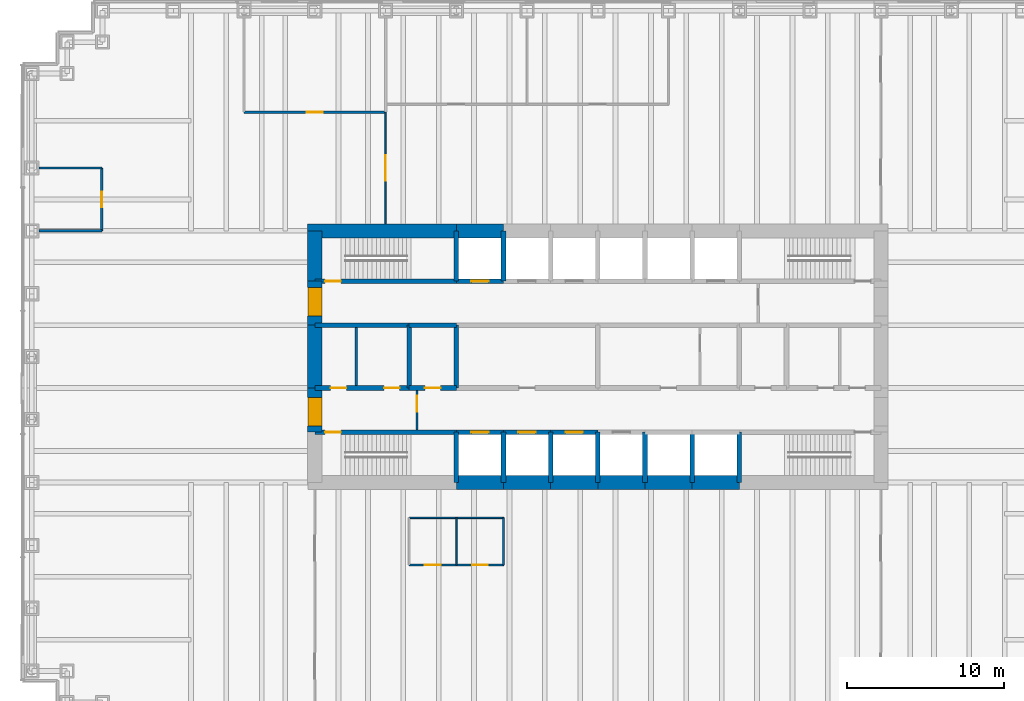
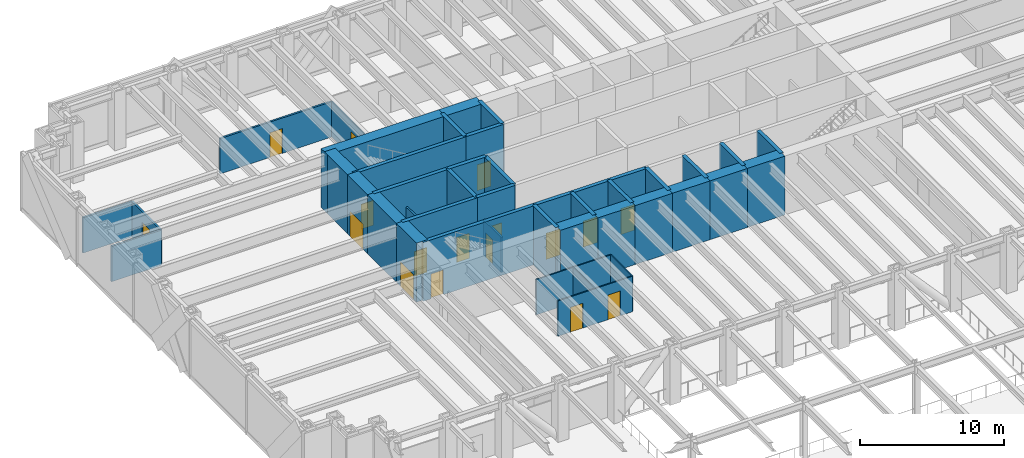
# One storey, part 13 of 17: 44 walls, 17 doors, 17 openings.
"""IFC4 building model written with IfcOpenShell, lengths in metres."""

import ifcopenshell
import ifcopenshell.guid

model = None  # the IFC model being written
_history = None  # IfcOwnerHistory: only IFC2X3 demands one
_inside = {}  # id of a spatial element -> (the spatial element, [elements in it])
_under = {}  # id of a project, library or spatial element -> (it, [spatial elements below it])
_declared = {}  # id of a project -> (the project, [libraries it declares])
_typed = {}  # id of a type object -> (the type object, [elements of that type])
_made_of = {}  # id of a material, layer set ... -> (it, [elements and type objects made of it])


def new_model(schema):
    """Start an empty IFC model of exactly this schema.

    Asked for "IFC4X3", IfcOpenShell would pick the latest addendum, in which some entities
    have other attributes; the version numbers below select the first issue.
    IFC2X3 requires an IfcOwnerHistory on every rooted entity: one is made here for all.
    """
    global model, _history
    if schema == "IFC4X3":
        model = ifcopenshell.file(schema_version=(4, 3, 0, 0))
    else:
        model = ifcopenshell.file(schema=schema)
    _inside.clear()
    _under.clear()
    _declared.clear()
    _typed.clear()
    _made_of.clear()
    _history = None
    if model.schema == "IFC2X3":
        org = make("IfcOrganization", Name="unknown")
        user = make(
            "IfcPersonAndOrganization",
            ThePerson=make("IfcPerson", FamilyName="unknown"),
            TheOrganization=org,
        )
        app = make(
            "IfcApplication",
            ApplicationDeveloper=org,
            Version="unknown",
            ApplicationFullName="unknown",
            ApplicationIdentifier="unknown",
        )
        _history = make(
            "IfcOwnerHistory",
            OwningUser=user,
            OwningApplication=app,
            ChangeAction="ADDED",
            CreationDate=0,
        )
    return model


def make(cls, **values):
    """One entity of the class cls with the attributes given. An attribute that is None is left unset."""
    return model.create_entity(
        cls, **{name: value for name, value in values.items() if value is not None}
    )


def rooted(cls, **values):
    """An entity with a GlobalId (a new one), such as an element, a storey or a relation."""
    return make(cls, GlobalId=ifcopenshell.guid.new(), OwnerHistory=_history, **values)


def si_unit(unit_type, name, prefix=None):
    """IfcSIUnit, for example si_unit("LENGTHUNIT", "METRE", prefix="MILLI")."""
    return make("IfcSIUnit", UnitType=unit_type, Prefix=prefix, Name=name)


def assignment(units):
    """IfcUnitAssignment: the units of a project."""
    return None if units is None else make("IfcUnitAssignment", Units=units)


def point(xyz):
    """IfcCartesianPoint."""
    return None if xyz is None else make("IfcCartesianPoint", Coordinates=xyz)


def direction(xyz):
    """IfcDirection."""
    return None if xyz is None else make("IfcDirection", DirectionRatios=xyz)


def frame(location, z_axis=None, x_axis=None):
    """IfcAxis2Placement3D, a coordinate frame: its origin and axes. An axis left out is left unset."""
    return make(
        "IfcAxis2Placement3D",
        Location=point(location),
        Axis=direction(z_axis),
        RefDirection=direction(x_axis),
    )


def frame_2d(location, x_axis=None):
    """IfcAxis2Placement2D, a coordinate frame in the plane: its origin and x axis."""
    return make(
        "IfcAxis2Placement2D", Location=point(location), RefDirection=direction(x_axis)
    )


def origin():
    """The frame at (0, 0, 0) with its axes left unset."""
    return frame((0.0, 0.0, 0.0))


def place(relative_to, where):
    """IfcLocalPlacement: puts the frame where relative to a parent placement (None: the world)."""
    return make(
        "IfcLocalPlacement", PlacementRelTo=relative_to, RelativePlacement=where
    )


def context(
    kind, dimensions, precision=None, world=None, true_north=None, identifier=None
):
    """IfcGeometricRepresentationContext, for example the 3D "Model" context."""
    return make(
        "IfcGeometricRepresentationContext",
        ContextIdentifier=identifier,
        ContextType=kind,
        CoordinateSpaceDimension=dimensions,
        Precision=precision,
        WorldCoordinateSystem=world,
        TrueNorth=true_north,
    )


def subcontext(parent, identifier, kind, view, scale=None):
    """IfcGeometricRepresentationSubContext, for example "Body" below "Model"."""
    return make(
        "IfcGeometricRepresentationSubContext",
        ContextIdentifier=identifier,
        ContextType=kind,
        ParentContext=parent,
        TargetScale=scale,
        TargetView=view,
    )


def project(units=None, contexts=None):
    """IfcProject with its units and contexts."""
    return rooted(
        "IfcProject",
        Name="project",
        RepresentationContexts=contexts,
        UnitsInContext=assignment(units),
    )


def spatial(cls, under=None, at=None, **own):
    """A site, building, storey or space (cls), placed at a placement, below another one or the project."""
    s = rooted(cls, ObjectPlacement=at, **own)
    if under is not None:
        _under.setdefault(under.id(), (under, []))[1].append(s)
    return s


def profile(cls, at=None, kind="AREA", **sizes):
    """A parametric profile (cls). Its sizes go by their IFC names, for example OverallWidth=200.0."""
    return make(cls, ProfileType=kind, Position=at, **sizes)


def rectangle(**sizes):
    """IfcRectangleProfileDef."""
    return profile("IfcRectangleProfileDef", **sizes)


def extrude(swept, where, along, depth):
    """IfcExtrudedAreaSolid: the profile swept, set in the frame where, extruded along a direction by depth."""
    return make(
        "IfcExtrudedAreaSolid",
        SweptArea=swept,
        Position=where,
        ExtrudedDirection=direction(along),
        Depth=depth,
    )


def shape(context_of_items, identifier, shape_type, items):
    """IfcShapeRepresentation: the items that make up one representation, for example the "Body"."""
    return make(
        "IfcShapeRepresentation",
        ContextOfItems=context_of_items,
        RepresentationIdentifier=identifier,
        RepresentationType=shape_type,
        Items=items,
    )


def material(Name=None, Category=None):
    """IfcMaterial."""
    return make("IfcMaterial", Name=Name, Category=Category)


def layer(
    of_material, thickness, ventilated=None, Name=None, Category=None, Priority=None
):
    """IfcMaterialLayer: one layer of a wall or slab, of a material (None: an air gap)."""
    return make(
        "IfcMaterialLayer",
        Material=of_material,
        LayerThickness=thickness,
        IsVentilated=ventilated,
        Name=Name,
        Category=Category,
        Priority=Priority,
    )


def layer_set(layers, Name=None):
    """IfcMaterialLayerSet."""
    return make("IfcMaterialLayerSet", MaterialLayers=layers, LayerSetName=Name)


def made_of(thing, what):
    """Note that an element or type object is made of a material, layer set ...; save() writes the relation."""
    if what is not None:
        _made_of.setdefault(what.id(), (what, []))[1].append(thing)
    return thing


def type_object(cls, material=None, **own):
    """A type object (cls), such as IfcWallType, which elements share."""
    return made_of(rooted(cls, **own), material)


def element(
    cls,
    number,
    at=None,
    inside=None,
    cuts=None,
    type_object=None,
    material=None,
    context=None,
    identifier="Body",
    shape_type=None,
    held_by="IfcProductDefinitionShape",
    body=None,
    shapes=None,
    **own,
):
    """One element of the class cls, such as IfcWall. Its Tag is "e" and its number.

    at: its placement. inside: the storey or other place that contains it. cuts: it is an
    opening in that element (IfcRelVoidsElement). A single representation is given by context,
    identifier, shape_type and body (its items); several are given by shapes. held_by: the class
    of the entity that holds the representations. save() writes the other relations.
    """
    e = rooted(cls, Tag="e%d" % number, ObjectPlacement=at, **own)
    if body is not None:
        shapes = [shape(context, identifier, shape_type, body)]
    if shapes is not None:
        e.Representation = make(held_by, Representations=shapes)
    if inside is not None:
        _inside.setdefault(inside.id(), (inside, []))[1].append(e)
    if cuts is not None:
        rooted(
            "IfcRelVoidsElement", RelatingBuildingElement=cuts, RelatedOpeningElement=e
        )
    if type_object is not None:
        _typed.setdefault(type_object.id(), (type_object, []))[1].append(e)
    return made_of(e, material)


def fill(opening, filler):
    """IfcRelFillsElement: the door or window that sits in an opening."""
    return rooted(
        "IfcRelFillsElement",
        RelatingOpeningElement=opening,
        RelatedBuildingElement=filler,
    )


def aggregate(whole, parts):
    """IfcRelAggregates: a whole, such as a stair, and the parts it consists of."""
    return rooted("IfcRelAggregates", RelatingObject=whole, RelatedObjects=parts)


def save(model, path):
    """Write the relations noted so far, then the file.

    IfcRelAggregates (storeys below a building ...), IfcRelContainedInSpatialStructure (elements
    in a storey), IfcRelDefinesByType, IfcRelAssociatesMaterial and IfcRelDeclares: one each for
    every whole, place, type object, material and project.
    """
    for whole, parts in _under.values():
        aggregate(whole, parts)
    for where, things in _inside.values():
        rooted(
            "IfcRelContainedInSpatialStructure",
            RelatedElements=things,
            RelatingStructure=where,
        )
    for kind, things in _typed.values():
        rooted("IfcRelDefinesByType", RelatedObjects=things, RelatingType=kind)
    for what, things in _made_of.values():
        rooted("IfcRelAssociatesMaterial", RelatedObjects=things, RelatingMaterial=what)
    for by, libraries in _declared.values():
        rooted("IfcRelDeclares", RelatingContext=by, RelatedDefinitions=libraries)
    model.write(path)


model = new_model("IFC4")

# Units and contexts
model_context = context("Model", 3, precision=1e-05, world=origin(), true_north=direction((0.0, 1.0)))
body_context = subcontext(model_context, "Body", "Model", "MODEL_VIEW")
ifc_project = project(units=[si_unit("LENGTHUNIT", "METRE"), si_unit("AREAUNIT", "SQUARE_METRE"), si_unit("VOLUMEUNIT", "CUBIC_METRE"), si_unit("PLANEANGLEUNIT", "RADIAN"), si_unit("MASSUNIT", "GRAM", prefix="KILO")], contexts=[model_context])

# Site, building, storey
site_placement = place(None, origin())
site = spatial("IfcSite", under=ifc_project, at=site_placement, CompositionType="ELEMENT")
building_placement = place(site_placement, origin())
building = spatial("IfcBuilding", under=site, at=building_placement, Name="Rheinbord Bourse Tower", CompositionType="ELEMENT")
storey_placement = place(building_placement, frame((0.0, 0.0, 18.0)))
storey = spatial("IfcBuildingStorey", under=building, at=storey_placement, Name="L03", CompositionType="ELEMENT", Elevation=18.0)

# Wall, opening, door
ifc_material_1 = material(Name="Concrete C50/60", Category="concrete")
ifc_layer_1 = layer(ifc_material_1, 0.300048828125)
ifc_layer_set_1 = layer_set([ifc_layer_1], Name="CORE INNER WALL 300")
wall_type_1 = type_object("IfcWallType", Name="CORE INNER WALL 300", PredefinedType="SOLIDWALL", material=ifc_layer_set_1)
wall_1_placement = place(storey_placement, frame((18.0, 19.199951171875, 0.0), z_axis=(0.0, 0.0, 1.0), x_axis=(1.0, 0.0, 0.0)))
wall_1 = element("IfcWall", 1, at=wall_1_placement, inside=storey, type_object=wall_type_1, Name="Core wall A1 L03", PredefinedType="SOLIDWALL", context=body_context, shape_type="SweptSolid", body=[
    extrude(rectangle(XDim=9.0, YDim=0.300048828125, at=frame_2d((4.5, 0.0))), origin(), (0.0, 0.0, 1.0), 5.0),
])
opening_1_placement = place(wall_1_placement, frame((0.64990234375, 0.0, 0.0)))
opening_1 = element("IfcOpeningElement", 2, at=opening_1_placement, cuts=wall_1, Name="Opening 0310", PredefinedType="OPENING", context=body_context, shape_type="SweptSolid", body=[
    extrude(rectangle(XDim=1.0, YDim=2.10009765625, at=frame_2d((0.5, 1.050048828125))), frame((0.0, 0.159912109375, 0.0), z_axis=(0.0, -1.0, 0.0), x_axis=(1.0, 0.0, 0.0)), (0.0, 0.0, 1.0), 0.320068359375),
])
ifc_material_2 = material(Name="Steel door", Category="steel")
door_type_1 = type_object("IfcDoorType", Name="DOOR 1000 EI30", OperationType="SINGLE_SWING_LEFT", PredefinedType="DOOR", material=ifc_material_2)
door_1_placement = place(opening_1_placement, origin())
door_1 = element("IfcDoor", 3, at=door_1_placement, inside=storey, type_object=door_type_1, Name="Stair door ST1 L03", OperationType="SINGLE_SWING_LEFT", OverallHeight=2.10009765625, OverallWidth=1.0, PredefinedType="DOOR", context=body_context, shape_type="SweptSolid", body=[
    extrude(rectangle(XDim=1.0, YDim=2.10009765625, at=frame_2d((0.5, 1.050048828125))), frame((0.0, 0.02490234375, 0.0), z_axis=(0.0, -1.0, 0.0), x_axis=(1.0, 0.0, 0.0)), (0.0, 0.0, 1.0), 0.050048828125),
])
fill(opening_1, door_1)

wall_2_placement = place(storey_placement, frame((27.0, 19.199951171875, 0.0), z_axis=(0.0, 0.0, 1.0), x_axis=(1.0, 0.0, 0.0)))
wall_2 = element("IfcWall", 4, at=wall_2_placement, inside=storey, type_object=wall_type_1, Name="Core wall A2 L03", PredefinedType="SOLIDWALL", context=body_context, shape_type="SweptSolid", body=[
    extrude(rectangle(XDim=3.0, YDim=0.300048828125, at=frame_2d((1.5, 0.0))), origin(), (0.0, 0.0, 1.0), 5.0),
])
opening_2_placement = place(wall_2_placement, frame((0.949951171875, 0.0, 0.0)))
opening_2 = element("IfcOpeningElement", 5, at=opening_2_placement, cuts=wall_2, Name="Opening FL1", PredefinedType="OPENING", context=body_context, shape_type="SweptSolid", body=[
    extrude(rectangle(XDim=1.10009765625, YDim=2.199951171875, at=frame_2d((0.550048828125, 1.10009765625))), frame((0.0, 0.159912109375, 0.0), z_axis=(0.0, -1.0, 0.0), x_axis=(1.0, 0.0, 0.0)), (0.0, 0.0, 1.0), 0.320068359375),
])
ifc_material_3 = material(Name="Steel landing door", Category="steel")
door_type_2 = type_object("IfcDoorType", Name="LIFT LANDING DOOR 1100", OperationType="DOUBLE_DOOR_SLIDING", PredefinedType="USERDEFINED", material=ifc_material_3)
door_2_placement = place(opening_2_placement, origin())
door_2 = element("IfcDoor", 6, at=door_2_placement, inside=storey, type_object=door_type_2, Name="Lift landing door FL1 L03", ObjectType="LIFT LANDING DOOR", OperationType="DOUBLE_DOOR_SLIDING", OverallHeight=2.199951171875, OverallWidth=1.10009765625, PredefinedType="USERDEFINED", context=body_context, shape_type="SweptSolid", body=[
    extrude(rectangle(XDim=1.10009765625, YDim=2.199951171875, at=frame_2d((0.550048828125, 1.10009765625))), frame((0.0, 0.02490234375, 0.0), z_axis=(0.0, -1.0, 0.0), x_axis=(1.0, 0.0, 0.0)), (0.0, 0.0, 1.0), 0.050048828125),
])
fill(opening_2, door_2)

wall_3_placement = place(storey_placement, frame((30.0, 19.199951171875, 0.0), z_axis=(0.0, 0.0, 1.0), x_axis=(1.0, 0.0, 0.0)))
wall_3 = element("IfcWall", 7, at=wall_3_placement, inside=storey, type_object=wall_type_1, Name="Core wall A3 L03", PredefinedType="SOLIDWALL", context=body_context, shape_type="SweptSolid", body=[
    extrude(rectangle(XDim=3.0, YDim=0.300048828125, at=frame_2d((1.5, 0.0))), origin(), (0.0, 0.0, 1.0), 5.0),
])
opening_3_placement = place(wall_3_placement, frame((0.949951171875, 0.0, 0.0)))
opening_3 = element("IfcOpeningElement", 8, at=opening_3_placement, cuts=wall_3, Name="Opening PA1", PredefinedType="OPENING", context=body_context, shape_type="SweptSolid", body=[
    extrude(rectangle(XDim=1.10009765625, YDim=2.199951171875, at=frame_2d((0.550048828125, 1.10009765625))), frame((0.0, 0.159912109375, 0.0), z_axis=(0.0, -1.0, 0.0), x_axis=(1.0, 0.0, 0.0)), (0.0, 0.0, 1.0), 0.320068359375),
])
door_3_placement = place(opening_3_placement, origin())
door_3 = element("IfcDoor", 9, at=door_3_placement, inside=storey, type_object=door_type_2, Name="Lift landing door PA1 L03", ObjectType="LIFT LANDING DOOR", OperationType="DOUBLE_DOOR_SLIDING", OverallHeight=2.199951171875, OverallWidth=1.10009765625, PredefinedType="USERDEFINED", context=body_context, shape_type="SweptSolid", body=[
    extrude(rectangle(XDim=1.10009765625, YDim=2.199951171875, at=frame_2d((0.550048828125, 1.10009765625))), frame((0.0, 0.02490234375, 0.0), z_axis=(0.0, -1.0, 0.0), x_axis=(1.0, 0.0, 0.0)), (0.0, 0.0, 1.0), 0.050048828125),
])
fill(opening_3, door_3)

wall_4_placement = place(storey_placement, frame((33.0, 19.199951171875, 0.0), z_axis=(0.0, 0.0, 1.0), x_axis=(1.0, 0.0, 0.0)))
wall_4 = element("IfcWall", 10, at=wall_4_placement, inside=storey, type_object=wall_type_1, Name="Core wall A4 L03", PredefinedType="SOLIDWALL", context=body_context, shape_type="SweptSolid", body=[
    extrude(rectangle(XDim=3.0, YDim=0.300048828125, at=frame_2d((1.5, 0.0))), origin(), (0.0, 0.0, 1.0), 5.0),
])
opening_4_placement = place(wall_4_placement, frame((0.949951171875, 0.0, 0.0)))
opening_4 = element("IfcOpeningElement", 11, at=opening_4_placement, cuts=wall_4, Name="Opening PA2", PredefinedType="OPENING", context=body_context, shape_type="SweptSolid", body=[
    extrude(rectangle(XDim=1.10009765625, YDim=2.199951171875, at=frame_2d((0.550048828125, 1.10009765625))), frame((0.0, 0.159912109375, 0.0), z_axis=(0.0, -1.0, 0.0), x_axis=(1.0, 0.0, 0.0)), (0.0, 0.0, 1.0), 0.320068359375),
])
door_4_placement = place(opening_4_placement, origin())
door_4 = element("IfcDoor", 12, at=door_4_placement, inside=storey, type_object=door_type_2, Name="Lift landing door PA2 L03", ObjectType="LIFT LANDING DOOR", OperationType="DOUBLE_DOOR_SLIDING", OverallHeight=2.199951171875, OverallWidth=1.10009765625, PredefinedType="USERDEFINED", context=body_context, shape_type="SweptSolid", body=[
    extrude(rectangle(XDim=1.10009765625, YDim=2.199951171875, at=frame_2d((0.550048828125, 1.10009765625))), frame((0.0, 0.02490234375, 0.0), z_axis=(0.0, -1.0, 0.0), x_axis=(1.0, 0.0, 0.0)), (0.0, 0.0, 1.0), 0.050048828125),
])
fill(opening_4, door_4)

wall_5_placement = place(storey_placement, frame((18.0, 28.800048828125, 0.0), z_axis=(0.0, 0.0, 1.0), x_axis=(1.0, 0.0, 0.0)))
wall_5 = element("IfcWall", 13, at=wall_5_placement, inside=storey, type_object=wall_type_1, Name="Core wall B1 L03", PredefinedType="SOLIDWALL", context=body_context, shape_type="SweptSolid", body=[
    extrude(rectangle(XDim=9.0, YDim=0.300048828125, at=frame_2d((4.5, 0.0))), origin(), (0.0, 0.0, 1.0), 5.0),
])
opening_5_placement = place(wall_5_placement, frame((0.64990234375, 0.0, 0.0)))
opening_5 = element("IfcOpeningElement", 14, at=opening_5_placement, cuts=wall_5, Name="Opening 0320", PredefinedType="OPENING", context=body_context, shape_type="SweptSolid", body=[
    extrude(rectangle(XDim=1.0, YDim=2.10009765625, at=frame_2d((0.5, 1.050048828125))), frame((0.0, 0.159912109375, 0.0), z_axis=(0.0, -1.0, 0.0), x_axis=(1.0, 0.0, 0.0)), (0.0, 0.0, 1.0), 0.320068359375),
])
door_5_placement = place(opening_5_placement, origin())
door_5 = element("IfcDoor", 15, at=door_5_placement, inside=storey, type_object=door_type_1, Name="Stair door ST2 L03", OperationType="SINGLE_SWING_LEFT", OverallHeight=2.10009765625, OverallWidth=1.0, PredefinedType="DOOR", context=body_context, shape_type="SweptSolid", body=[
    extrude(rectangle(XDim=1.0, YDim=2.10009765625, at=frame_2d((0.5, 1.050048828125))), frame((0.0, 0.02490234375, 0.0), z_axis=(0.0, -1.0, 0.0), x_axis=(1.0, 0.0, 0.0)), (0.0, 0.0, 1.0), 0.050048828125),
])
fill(opening_5, door_5)

wall_6_placement = place(storey_placement, frame((27.0, 28.800048828125, 0.0), z_axis=(0.0, 0.0, 1.0), x_axis=(1.0, 0.0, 0.0)))
wall_6 = element("IfcWall", 16, at=wall_6_placement, inside=storey, type_object=wall_type_1, Name="Core wall B2 L03", PredefinedType="SOLIDWALL", context=body_context, shape_type="SweptSolid", body=[
    extrude(rectangle(XDim=3.0, YDim=0.300048828125, at=frame_2d((1.5, 0.0))), origin(), (0.0, 0.0, 1.0), 5.0),
])
opening_6_placement = place(wall_6_placement, frame((0.949951171875, 0.0, 0.0)))
opening_6 = element("IfcOpeningElement", 17, at=opening_6_placement, cuts=wall_6, Name="Opening GL1", PredefinedType="OPENING", context=body_context, shape_type="SweptSolid", body=[
    extrude(rectangle(XDim=1.10009765625, YDim=2.199951171875, at=frame_2d((0.550048828125, 1.10009765625))), frame((0.0, 0.159912109375, 0.0), z_axis=(0.0, -1.0, 0.0), x_axis=(1.0, 0.0, 0.0)), (0.0, 0.0, 1.0), 0.320068359375),
])
door_6_placement = place(opening_6_placement, origin())
door_6 = element("IfcDoor", 18, at=door_6_placement, inside=storey, type_object=door_type_2, Name="Lift landing door GL1 L03", ObjectType="LIFT LANDING DOOR", OperationType="DOUBLE_DOOR_SLIDING", OverallHeight=2.199951171875, OverallWidth=1.10009765625, PredefinedType="USERDEFINED", context=body_context, shape_type="SweptSolid", body=[
    extrude(rectangle(XDim=1.10009765625, YDim=2.199951171875, at=frame_2d((0.550048828125, 1.10009765625))), frame((0.0, 0.02490234375, 0.0), z_axis=(0.0, -1.0, 0.0), x_axis=(1.0, 0.0, 0.0)), (0.0, 0.0, 1.0), 0.050048828125),
])
fill(opening_6, door_6)

# Wall, openings, doors
wall_7_placement = place(storey_placement, frame((18.0, 22.0, 0.0), z_axis=(0.0, 0.0, 1.0), x_axis=(1.0, 0.0, 0.0)))
wall_7 = element("IfcWall", 19, at=wall_7_placement, inside=storey, type_object=wall_type_1, Name="Core wall C1 L03", PredefinedType="SOLIDWALL", context=body_context, shape_type="SweptSolid", body=[
    extrude(rectangle(XDim=6.0, YDim=0.300048828125, at=frame_2d((3.0, 0.0))), origin(), (0.0, 0.0, 1.0), 5.0),
])
opening_7_placement = place(wall_7_placement, frame((4.39990234375, 0.0, 0.0)))
opening_7 = element("IfcOpeningElement", 20, at=opening_7_placement, cuts=wall_7, Name="Opening 03R1", PredefinedType="OPENING", context=body_context, shape_type="SweptSolid", body=[
    extrude(rectangle(XDim=1.0, YDim=2.10009765625, at=frame_2d((0.5, 1.050048828125))), frame((0.0, 0.159912109375, 0.0), z_axis=(0.0, -1.0, 0.0), x_axis=(1.0, 0.0, 0.0)), (0.0, 0.0, 1.0), 0.320068359375),
])
opening_8_placement = place(wall_7_placement, frame((1.0, 0.0, 0.0)))
opening_8 = element("IfcOpeningElement", 21, at=opening_8_placement, cuts=wall_7, Name="Opening 03R9", PredefinedType="OPENING", context=body_context, shape_type="SweptSolid", body=[
    extrude(rectangle(XDim=1.0, YDim=2.10009765625, at=frame_2d((0.5, 1.050048828125))), frame((0.0, 0.159912109375, 0.0), z_axis=(0.0, -1.0, 0.0), x_axis=(1.0, 0.0, 0.0)), (0.0, 0.0, 1.0), 0.320068359375),
])
door_7_placement = place(opening_8_placement, origin())
door_7 = element("IfcDoor", 22, at=door_7_placement, inside=storey, type_object=door_type_1, Name="Baby change door L03", OperationType="SINGLE_SWING_LEFT", OverallHeight=2.10009765625, OverallWidth=1.0, PredefinedType="DOOR", context=body_context, shape_type="SweptSolid", body=[
    extrude(rectangle(XDim=1.0, YDim=2.10009765625, at=frame_2d((0.5, 1.050048828125))), frame((0.0, 0.02490234375, 0.0), z_axis=(0.0, -1.0, 0.0), x_axis=(1.0, 0.0, 0.0)), (0.0, 0.0, 1.0), 0.050048828125),
])
fill(opening_8, door_7)
ifc_material_4 = material(Name="Timber door", Category="wood")
door_type_3 = type_object("IfcDoorType", Name="DOOR 1000 WC", OperationType="SINGLE_SWING_LEFT", PredefinedType="DOOR", material=ifc_material_4)
door_8_placement = place(opening_7_placement, origin())
door_8 = element("IfcDoor", 23, at=door_8_placement, inside=storey, type_object=door_type_3, Name="WC men door L03", OperationType="SINGLE_SWING_RIGHT", OverallHeight=2.10009765625, OverallWidth=1.0, PredefinedType="DOOR", context=body_context, shape_type="SweptSolid", body=[
    extrude(rectangle(XDim=1.0, YDim=2.10009765625, at=frame_2d((0.5, 1.050048828125))), frame((0.0, 0.02490234375, 0.0), z_axis=(0.0, -1.0, 0.0), x_axis=(1.0, 0.0, 0.0)), (0.0, 0.0, 1.0), 0.050048828125),
])
fill(opening_7, door_8)

# Wall, opening, door
wall_8_placement = place(storey_placement, frame((24.0, 22.0, 0.0), z_axis=(0.0, 0.0, 1.0), x_axis=(1.0, 0.0, 0.0)))
wall_8 = element("IfcWall", 24, at=wall_8_placement, inside=storey, type_object=wall_type_1, Name="Core wall C2 L03", PredefinedType="SOLIDWALL", context=body_context, shape_type="SweptSolid", body=[
    extrude(rectangle(XDim=3.0, YDim=0.300048828125, at=frame_2d((1.5, 0.0))), origin(), (0.0, 0.0, 1.0), 5.0),
])
opening_9_placement = place(wall_8_placement, frame((1.0, 0.0, 0.0)))
opening_9 = element("IfcOpeningElement", 25, at=opening_9_placement, cuts=wall_8, Name="Opening 03R2", PredefinedType="OPENING", context=body_context, shape_type="SweptSolid", body=[
    extrude(rectangle(XDim=1.0, YDim=2.10009765625, at=frame_2d((0.5, 1.050048828125))), frame((0.0, 0.159912109375, 0.0), z_axis=(0.0, -1.0, 0.0), x_axis=(1.0, 0.0, 0.0)), (0.0, 0.0, 1.0), 0.320068359375),
])
door_9_placement = place(opening_9_placement, origin())
door_9 = element("IfcDoor", 26, at=door_9_placement, inside=storey, type_object=door_type_3, Name="Shower and accessible WC door L03", OperationType="SINGLE_SWING_LEFT", OverallHeight=2.10009765625, OverallWidth=1.0, PredefinedType="DOOR", context=body_context, shape_type="SweptSolid", body=[
    extrude(rectangle(XDim=1.0, YDim=2.10009765625, at=frame_2d((0.5, 1.050048828125))), frame((0.0, 0.02490234375, 0.0), z_axis=(0.0, -1.0, 0.0), x_axis=(1.0, 0.0, 0.0)), (0.0, 0.0, 1.0), 0.050048828125),
])
fill(opening_9, door_9)

# Walls
wall_9_placement = place(storey_placement, frame((18.0, 26.0, 0.0), z_axis=(0.0, 0.0, 1.0), x_axis=(1.0, 0.0, 0.0)))
element("IfcWall", 27, at=wall_9_placement, inside=storey, type_object=wall_type_1, Name="Core wall D1 L03", PredefinedType="SOLIDWALL", context=body_context, shape_type="SweptSolid", body=[
    extrude(rectangle(XDim=6.0, YDim=0.300048828125, at=frame_2d((3.0, 0.0))), origin(), (0.0, 0.0, 1.0), 5.0),
])
wall_10_placement = place(storey_placement, frame((24.0, 26.0, 0.0), z_axis=(0.0, 0.0, 1.0), x_axis=(1.0, 0.0, 0.0)))
element("IfcWall", 28, at=wall_10_placement, inside=storey, type_object=wall_type_1, Name="Core wall D2 L03", PredefinedType="SOLIDWALL", context=body_context, shape_type="SweptSolid", body=[
    extrude(rectangle(XDim=3.0, YDim=0.300048828125, at=frame_2d((1.5, 0.0))), origin(), (0.0, 0.0, 1.0), 5.0),
])
for number, where, z_axis, x_axis, name in (
    (29, (27.0, 16.0, 0.0), (0.0, 0.0, 1.0), (0.0, 1.0, 0.0), "Core wall SX27 L03"),
    (30, (27.0, 28.800048828125, 0.0), (0.0, 0.0, 1.0), (0.0, 1.0, 0.0), "Core wall NX27 L03"),
    (31, (30.0, 16.0, 0.0), (0.0, 0.0, 1.0), (0.0, 1.0, 0.0), "Core wall SX30 L03"),
    (32, (30.0, 28.800048828125, 0.0), (0.0, 0.0, 1.0), (0.0, 1.0, 0.0), "Core wall NX30 L03"),
    (33, (33.0, 16.0, 0.0), (0.0, 0.0, 1.0), (0.0, 1.0, 0.0), "Core wall SX33 L03"),
    (34, (36.0, 16.0, 0.0), (0.0, 0.0, 1.0), (0.0, 1.0, 0.0), "Core wall SX36 L03"),
    (35, (39.0, 16.0, 0.0), (0.0, 0.0, 1.0), (0.0, 1.0, 0.0), "Core wall SX39 L03"),
    (36, (42.0, 16.0, 0.0), (0.0, 0.0, 1.0), (0.0, 1.0, 0.0), "Core wall SX42 L03"),
    (37, (45.0, 16.0, 0.0), (0.0, 0.0, 1.0), (0.0, 1.0, 0.0), "Core wall SX45 L03"),
):
    element("IfcWall", number, at=place(storey_placement, frame(where, z_axis=z_axis, x_axis=x_axis)), inside=storey, type_object=wall_type_1, Name=name, PredefinedType="SOLIDWALL", context=body_context, shape_type="SweptSolid", body=[
        extrude(rectangle(XDim=3.199951171875, YDim=0.300048828125, at=frame_2d((1.60009765625, 0.0))), origin(), (0.0, 0.0, 1.0), 5.0),
    ])
for number, where, z_axis, x_axis, name in (
    (38, (24.0, 22.0, 0.0), (0.0, 0.0, 1.0), (0.0, 1.0, 0.0), "Core wall MX24 L03"),
    (39, (27.0, 22.0, 0.0), (0.0, 0.0, 1.0), (0.0, 1.0, 0.0), "Core wall MX27 L03"),
):
    element("IfcWall", number, at=place(storey_placement, frame(where, z_axis=z_axis, x_axis=x_axis)), inside=storey, type_object=wall_type_1, Name=name, PredefinedType="SOLIDWALL", context=body_context, shape_type="SweptSolid", body=[
        extrude(rectangle(XDim=4.0, YDim=0.300048828125, at=frame_2d((2.0, 0.0))), origin(), (0.0, 0.0, 1.0), 5.0),
    ])
ifc_material_5 = material(Name="Gypsum board fire partition", Category="gypsum board")
ifc_layer_2 = layer(ifc_material_5, 0.14990234375)
ifc_layer_set_2 = layer_set([ifc_layer_2], Name="CORE PARTITION 150 EI30")
wall_type_2 = type_object("IfcWallType", Name="CORE PARTITION 150 EI30", PredefinedType="PARTITIONING", material=ifc_layer_set_2)
wall_11_placement = place(storey_placement, frame((20.625, 22.14990234375, 0.0), z_axis=(0.0, 0.0, 1.0), x_axis=(0.0, 1.0, 0.0)))
element("IfcWall", 40, at=wall_11_placement, inside=storey, type_object=wall_type_2, Name="Core partition L03-2", PredefinedType="PARTITIONING", context=body_context, shape_type="SweptSolid", body=[
    extrude(rectangle(XDim=3.7001953125, YDim=0.14990234375, at=frame_2d((1.85009765625, 0.0))), origin(), (0.0, 0.0, 1.0), 3.0),
])

# Wall, opening, door
wall_12_placement = place(storey_placement, frame((24.5, 19.35009765625, 0.0), z_axis=(0.0, 0.0, 1.0), x_axis=(0.0, 1.0, 0.0)))
wall_12 = element("IfcWall", 41, at=wall_12_placement, inside=storey, type_object=wall_type_2, Name="Core partition L03-4", PredefinedType="PARTITIONING", context=body_context, shape_type="SweptSolid", body=[
    extrude(rectangle(XDim=2.5, YDim=0.14990234375, at=frame_2d((1.25, 0.0))), origin(), (0.0, 0.0, 1.0), 3.0),
])
opening_10_placement = place(wall_12_placement, frame((1.14990234375, 0.0, 0.0)))
opening_10 = element("IfcOpeningElement", 42, at=opening_10_placement, cuts=wall_12, Name="Opening 03L5", PredefinedType="OPENING", context=body_context, shape_type="SweptSolid", body=[
    extrude(rectangle(XDim=1.0, YDim=2.10009765625, at=frame_2d((0.5, 1.050048828125))), frame((0.0, 0.0849609375, 0.0), z_axis=(0.0, -1.0, 0.0), x_axis=(1.0, 0.0, 0.0)), (0.0, 0.0, 1.0), 0.169921875),
])
door_10_placement = place(opening_10_placement, origin())
door_10 = element("IfcDoor", 43, at=door_10_placement, inside=storey, type_object=door_type_1, Name="Stair lobby door L03", OperationType="SINGLE_SWING_RIGHT", OverallHeight=2.10009765625, OverallWidth=1.0, PredefinedType="DOOR", context=body_context, shape_type="SweptSolid", body=[
    extrude(rectangle(XDim=1.0, YDim=2.10009765625, at=frame_2d((0.5, 1.050048828125))), frame((0.0, 0.02490234375, 0.0), z_axis=(0.0, -1.0, 0.0), x_axis=(1.0, 0.0, 0.0)), (0.0, 0.0, 1.0), 0.050048828125),
])
fill(opening_10, door_10)

# Walls
ifc_material_6 = material(Name="Concrete C50/60", Category="concrete")
ifc_layer_3 = layer(ifc_material_6, 0.89990234375)
ifc_layer_set_3 = layer_set([ifc_layer_3], Name="CORE WALL 900")
wall_type_3 = type_object("IfcWallType", Name="CORE WALL 900", PredefinedType="SHEAR", material=ifc_layer_set_3)
for number, where, z_axis, x_axis, name in (
    (44, (27.0, 16.0, 0.0), (0.0, 0.0, 1.0), (1.0, 0.0, 0.0), "Core wall S2 L03"),
    (45, (30.0, 16.0, 0.0), (0.0, 0.0, 1.0), (1.0, 0.0, 0.0), "Core wall S3 L03"),
    (46, (33.0, 16.0, 0.0), (0.0, 0.0, 1.0), (1.0, 0.0, 0.0), "Core wall S4 L03"),
    (47, (36.0, 16.0, 0.0), (0.0, 0.0, 1.0), (1.0, 0.0, 0.0), "Core wall S5 L03"),
    (48, (39.0, 16.0, 0.0), (0.0, 0.0, 1.0), (1.0, 0.0, 0.0), "Core wall S6 L03"),
    (49, (42.0, 16.0, 0.0), (0.0, 0.0, 1.0), (1.0, 0.0, 0.0), "Core wall S7 L03"),
    (50, (30.0, 32.0, 0.0), (0.0, 0.0, 1.0), (-1.0, 0.0, 0.0), "Core wall N7 L03"),
):
    element("IfcWall", number, at=place(storey_placement, frame(where, z_axis=z_axis, x_axis=x_axis)), inside=storey, type_object=wall_type_3, Name=name, PredefinedType="SHEAR", context=body_context, shape_type="SweptSolid", body=[
        extrude(rectangle(XDim=3.0, YDim=0.89990234375, at=frame_2d((1.5, 0.0))), origin(), (0.0, 0.0, 1.0), 5.0),
    ])
wall_13_placement = place(storey_placement, frame((27.0, 32.0, 0.0), z_axis=(0.0, 0.0, 1.0), x_axis=(-1.0, 0.0, 0.0)))
element("IfcWall", 51, at=wall_13_placement, inside=storey, type_object=wall_type_3, Name="Core wall N8 L03", PredefinedType="SHEAR", context=body_context, shape_type="SweptSolid", body=[
    extrude(rectangle(XDim=9.449951171875, YDim=0.89990234375, at=frame_2d((4.72509765625, 0.0))), origin(), (0.0, 0.0, 1.0), 5.0),
])
wall_14_placement = place(storey_placement, frame((18.0, 32.0, 0.0), z_axis=(0.0, 0.0, 1.0), x_axis=(0.0, -1.0, 0.0)))
element("IfcWall", 52, at=wall_14_placement, inside=storey, type_object=wall_type_3, Name="Core wall W1 L03", PredefinedType="SHEAR", context=body_context, shape_type="SweptSolid", body=[
    extrude(rectangle(XDim=3.199951171875, YDim=0.89990234375, at=frame_2d((1.60009765625, 0.0))), origin(), (0.0, 0.0, 1.0), 5.0),
])

# Wall, opening, door
wall_15_placement = place(storey_placement, frame((18.0, 28.800048828125, 0.0), z_axis=(0.0, 0.0, 1.0), x_axis=(0.0, -1.0, 0.0)))
wall_15 = element("IfcWall", 53, at=wall_15_placement, inside=storey, type_object=wall_type_3, Name="Core wall W2 L03", PredefinedType="SHEAR", context=body_context, shape_type="SweptSolid", body=[
    extrude(rectangle(XDim=2.800048828125, YDim=0.89990234375, at=frame_2d((1.39990234375, 0.0))), origin(), (0.0, 0.0, 1.0), 5.0),
])
opening_11_placement = place(wall_15_placement, frame((0.39990234375, 0.0, 0.0)))
opening_11 = element("IfcOpeningElement", 54, at=opening_11_placement, cuts=wall_15, Name="Opening 03L2", PredefinedType="OPENING", context=body_context, shape_type="SweptSolid", body=[
    extrude(rectangle(XDim=1.800048828125, YDim=2.10009765625, at=frame_2d((0.89990234375, 1.050048828125))), frame((0.0, 0.4599609375, 0.0), z_axis=(0.0, -1.0, 0.0), x_axis=(1.0, 0.0, 0.0)), (0.0, 0.0, 1.0), 0.919921875),
])
ifc_material_7 = material(Name="Steel door", Category="steel")
door_type_4 = type_object("IfcDoorType", Name="DOOR 1800 EI30 DOUBLE", OperationType="DOUBLE_DOOR_DOUBLE_SWING", PredefinedType="DOOR", material=ifc_material_7)
door_11_placement = place(opening_11_placement, origin())
door_11 = element("IfcDoor", 55, at=door_11_placement, inside=storey, type_object=door_type_4, Name="Lobby door 2 L03", OperationType="SINGLE_SWING_LEFT", OverallHeight=2.10009765625, OverallWidth=1.800048828125, PredefinedType="DOOR", context=body_context, shape_type="SweptSolid", body=[
    extrude(rectangle(XDim=1.800048828125, YDim=2.10009765625, at=frame_2d((0.89990234375, 1.050048828125))), frame((0.0, 0.44970703125, 0.0), z_axis=(0.0, -1.0, 0.0), x_axis=(1.0, 0.0, 0.0)), (0.0, 0.0, 1.0), 0.8994140625),
])
fill(opening_11, door_11)

# Wall
wall_16_placement = place(storey_placement, frame((18.0, 26.0, 0.0), z_axis=(0.0, 0.0, 1.0), x_axis=(0.0, -1.0, 0.0)))
element("IfcWall", 56, at=wall_16_placement, inside=storey, type_object=wall_type_3, Name="Core wall W3 L03", PredefinedType="SHEAR", context=body_context, shape_type="SweptSolid", body=[
    extrude(rectangle(XDim=4.0, YDim=0.89990234375, at=frame_2d((2.0, 0.0))), origin(), (0.0, 0.0, 1.0), 5.0),
])

# Wall, opening, door
wall_17_placement = place(storey_placement, frame((18.0, 22.0, 0.0), z_axis=(0.0, 0.0, 1.0), x_axis=(0.0, -1.0, 0.0)))
wall_17 = element("IfcWall", 57, at=wall_17_placement, inside=storey, type_object=wall_type_3, Name="Core wall W4 L03", PredefinedType="SHEAR", context=body_context, shape_type="SweptSolid", body=[
    extrude(rectangle(XDim=2.800048828125, YDim=0.89990234375, at=frame_2d((1.39990234375, 0.0))), origin(), (0.0, 0.0, 1.0), 5.0),
])
opening_12_placement = place(wall_17_placement, frame((0.60009765625, 0.0, 0.0)))
opening_12 = element("IfcOpeningElement", 58, at=opening_12_placement, cuts=wall_17, Name="Opening 03L1", PredefinedType="OPENING", context=body_context, shape_type="SweptSolid", body=[
    extrude(rectangle(XDim=1.800048828125, YDim=2.10009765625, at=frame_2d((0.89990234375, 1.050048828125))), frame((0.0, 0.4599609375, 0.0), z_axis=(0.0, -1.0, 0.0), x_axis=(1.0, 0.0, 0.0)), (0.0, 0.0, 1.0), 0.919921875),
])
door_12_placement = place(opening_12_placement, origin())
door_12 = element("IfcDoor", 59, at=door_12_placement, inside=storey, type_object=door_type_4, Name="Lobby door 1 L03", OperationType="SINGLE_SWING_LEFT", OverallHeight=2.10009765625, OverallWidth=1.800048828125, PredefinedType="DOOR", context=body_context, shape_type="SweptSolid", body=[
    extrude(rectangle(XDim=1.800048828125, YDim=2.10009765625, at=frame_2d((0.89990234375, 1.050048828125))), frame((0.0, 0.44970703125, 0.0), z_axis=(0.0, -1.0, 0.0), x_axis=(1.0, 0.0, 0.0)), (0.0, 0.0, 1.0), 0.8994140625),
])
fill(opening_12, door_12)

# Wall, openings, doors
ifc_material_8 = material(Name="Toughened laminated glass partition", Category="glass")
ifc_layer_4 = layer(ifc_material_8, 0.10009765625)
ifc_layer_set_4 = layer_set([ifc_layer_4], Name="GLAZED PARTITION 100")
wall_type_4 = type_object("IfcWallType", Name="GLAZED PARTITION 100", PredefinedType="PARTITIONING", material=ifc_layer_set_4)
wall_18_placement = place(storey_placement, frame((24.0, 10.75, 0.0), z_axis=(0.0, 0.0, 1.0), x_axis=(1.0, 0.0, 0.0)))
wall_18 = element("IfcWall", 60, at=wall_18_placement, inside=storey, type_object=wall_type_4, Name="Partition L03-01", PredefinedType="PARTITIONING", context=body_context, shape_type="SweptSolid", body=[
    extrude(rectangle(XDim=6.0, YDim=0.10009765625, at=frame_2d((3.0, 0.0))), origin(), (0.0, 0.0, 1.0), 3.0),
])
opening_13_placement = place(wall_18_placement, frame((1.0, 0.0, 0.0)))
opening_13 = element("IfcOpeningElement", 61, at=opening_13_placement, cuts=wall_18, Name="Opening 03D01", PredefinedType="OPENING", context=body_context, shape_type="SweptSolid", body=[
    extrude(rectangle(XDim=1.0, YDim=2.10009765625, at=frame_2d((0.5, 1.050048828125))), frame((0.0, 0.06005859375, 0.0), z_axis=(0.0, -1.0, 0.0), x_axis=(1.0, 0.0, 0.0)), (0.0, 0.0, 1.0), 0.1201171875),
])
opening_14_placement = place(wall_18_placement, frame((4.0, 0.0, 0.0)))
opening_14 = element("IfcOpeningElement", 62, at=opening_14_placement, cuts=wall_18, Name="Opening 03D02", PredefinedType="OPENING", context=body_context, shape_type="SweptSolid", body=[
    extrude(rectangle(XDim=1.0, YDim=2.10009765625, at=frame_2d((0.5, 1.050048828125))), frame((0.0, 0.06005859375, 0.0), z_axis=(0.0, -1.0, 0.0), x_axis=(1.0, 0.0, 0.0)), (0.0, 0.0, 1.0), 0.1201171875),
])
ifc_material_9 = material(Name="Timber door", Category="wood")
door_type_5 = type_object("IfcDoorType", Name="ROOM DOOR 1000", OperationType="SINGLE_SWING_LEFT", PredefinedType="DOOR", material=ifc_material_9)
door_13_placement = place(opening_13_placement, origin())
door_13 = element("IfcDoor", 63, at=door_13_placement, inside=storey, type_object=door_type_5, Name="Quiet room door L03", OperationType="SINGLE_SWING_LEFT", OverallHeight=2.10009765625, OverallWidth=1.0, PredefinedType="DOOR", context=body_context, shape_type="SweptSolid", body=[
    extrude(rectangle(XDim=1.0, YDim=2.10009765625, at=frame_2d((0.5, 1.050048828125))), frame((0.0, 0.02490234375, 0.0), z_axis=(0.0, -1.0, 0.0), x_axis=(1.0, 0.0, 0.0)), (0.0, 0.0, 1.0), 0.050048828125),
])
fill(opening_13, door_13)
door_14_placement = place(opening_14_placement, origin())
door_14 = element("IfcDoor", 64, at=door_14_placement, inside=storey, type_object=door_type_5, Name="Quiet room door L03", OperationType="SINGLE_SWING_RIGHT", OverallHeight=2.10009765625, OverallWidth=1.0, PredefinedType="DOOR", context=body_context, shape_type="SweptSolid", body=[
    extrude(rectangle(XDim=1.0, YDim=2.10009765625, at=frame_2d((0.5, 1.050048828125))), frame((0.0, 0.02490234375, 0.0), z_axis=(0.0, -1.0, 0.0), x_axis=(1.0, 0.0, 0.0)), (0.0, 0.0, 1.0), 0.050048828125),
])
fill(opening_14, door_14)

# Wall
wall_19_placement = place(storey_placement, frame((24.0, 13.75, 0.0), z_axis=(0.0, 0.0, 1.0), x_axis=(1.0, 0.0, 0.0)))
element("IfcWall", 65, at=wall_19_placement, inside=storey, type_object=wall_type_4, Name="Partition L03-03", PredefinedType="PARTITIONING", context=body_context, shape_type="SweptSolid", body=[
    extrude(rectangle(XDim=6.0, YDim=0.10009765625, at=frame_2d((3.0, 0.0))), origin(), (0.0, 0.0, 1.0), 3.0),
])

# Wall, opening, door
wall_20_placement = place(storey_placement, frame((22.5, 32.449951171875, 0.0), z_axis=(0.0, 0.0, 1.0), x_axis=(0.0, 1.0, 0.0)))
wall_20 = element("IfcWall", 66, at=wall_20_placement, inside=storey, type_object=wall_type_4, Name="Partition L03-14", PredefinedType="PARTITIONING", context=body_context, shape_type="SweptSolid", body=[
    extrude(rectangle(XDim=7.10009765625, YDim=0.10009765625, at=frame_2d((3.550048828125, 0.0))), origin(), (0.0, 0.0, 1.0), 3.0),
])
opening_15_placement = place(wall_20_placement, frame((2.75, 0.0, 0.0)))
opening_15 = element("IfcOpeningElement", 67, at=opening_15_placement, cuts=wall_20, Name="Opening 03D11", PredefinedType="OPENING", context=body_context, shape_type="SweptSolid", body=[
    extrude(rectangle(XDim=1.60009765625, YDim=2.10009765625, at=frame_2d((0.800048828125, 1.050048828125))), frame((0.0, 0.06005859375, 0.0), z_axis=(0.0, -1.0, 0.0), x_axis=(1.0, 0.0, 0.0)), (0.0, 0.0, 1.0), 0.1201171875),
])
ifc_material_10 = material(Name="Timber door", Category="wood")
door_type_6 = type_object("IfcDoorType", Name="DOUBLE ROOM DOOR 1600", OperationType="DOUBLE_DOOR_DOUBLE_SWING", PredefinedType="DOOR", material=ifc_material_10)
door_15_placement = place(opening_15_placement, origin())
door_15 = element("IfcDoor", 68, at=door_15_placement, inside=storey, type_object=door_type_6, Name="Open area door L03", OperationType="SINGLE_SWING_LEFT", OverallHeight=2.10009765625, OverallWidth=1.60009765625, PredefinedType="DOOR", context=body_context, shape_type="SweptSolid", body=[
    extrude(rectangle(XDim=1.60009765625, YDim=2.10009765625, at=frame_2d((0.800048828125, 1.050048828125))), frame((0.0, 0.02490234375, 0.0), z_axis=(0.0, -1.0, 0.0), x_axis=(1.0, 0.0, 0.0)), (0.0, 0.0, 1.0), 0.050048828125),
])
fill(opening_15, door_15)

# Walls
for number, where, z_axis, x_axis, name in (
    (69, (27.0, 10.75, 0.0), (0.0, 0.0, 1.0), (0.0, 1.0, 0.0), "Partition L03-17"),
    (70, (30.0, 10.75, 0.0), (0.0, 0.0, 1.0), (0.0, 1.0, 0.0), "Partition L03-18"),
):
    element("IfcWall", number, at=place(storey_placement, frame(where, z_axis=z_axis, x_axis=x_axis)), inside=storey, type_object=wall_type_4, Name=name, PredefinedType="PARTITIONING", context=body_context, shape_type="SweptSolid", body=[
        extrude(rectangle(XDim=3.0, YDim=0.10009765625, at=frame_2d((1.5, 0.0))), origin(), (0.0, 0.0, 1.0), 3.0),
    ])
ifc_material_11 = material(Name="Gypsum board partition", Category="gypsum board")
ifc_layer_5 = layer(ifc_material_11, 0.14990234375)
ifc_layer_set_5 = layer_set([ifc_layer_5], Name="PARTITION 150")
wall_type_5 = type_object("IfcWallType", Name="PARTITION 150", PredefinedType="PARTITIONING", material=ifc_layer_set_5)
for number, where, z_axis, x_axis, name in (
    (71, (0.449951171875, 32.0, 0.0), (0.0, 0.0, 1.0), (1.0, 0.0, 0.0), "Partition L03-07"),
    (72, (0.449951171875, 36.0, 0.0), (0.0, 0.0, 1.0), (1.0, 0.0, 0.0), "Partition L03-08"),
):
    element("IfcWall", number, at=place(storey_placement, frame(where, z_axis=z_axis, x_axis=x_axis)), inside=storey, type_object=wall_type_5, Name=name, PredefinedType="PARTITIONING", context=body_context, shape_type="SweptSolid", body=[
        extrude(rectangle(XDim=4.0, YDim=0.14990234375, at=frame_2d((2.0, 0.0))), origin(), (0.0, 0.0, 1.0), 3.0),
    ])

# Wall, opening, door
wall_21_placement = place(storey_placement, frame((13.5, 39.550048828125, 0.0), z_axis=(0.0, 0.0, 1.0), x_axis=(1.0, 0.0, 0.0)))
wall_21 = element("IfcWall", 73, at=wall_21_placement, inside=storey, type_object=wall_type_5, Name="Partition L03-09", PredefinedType="PARTITIONING", context=body_context, shape_type="SweptSolid", body=[
    extrude(rectangle(XDim=9.0, YDim=0.14990234375, at=frame_2d((4.5, 0.0))), origin(), (0.0, 0.0, 1.0), 3.0),
])
opening_16_placement = place(wall_21_placement, frame((4.0, 0.0, 0.0)))
opening_16 = element("IfcOpeningElement", 74, at=opening_16_placement, cuts=wall_21, Name="Opening 03D06", PredefinedType="OPENING", context=body_context, shape_type="SweptSolid", body=[
    extrude(rectangle(XDim=1.0, YDim=2.10009765625, at=frame_2d((0.5, 1.050048828125))), frame((0.0, 0.0849609375, 0.0), z_axis=(0.0, -1.0, 0.0), x_axis=(1.0, 0.0, 0.0)), (0.0, 0.0, 1.0), 0.169921875),
])
door_16_placement = place(opening_16_placement, origin())
door_16 = element("IfcDoor", 75, at=door_16_placement, inside=storey, type_object=door_type_5, Name="Floor supervisors office door L03", OperationType="SINGLE_SWING_LEFT", OverallHeight=2.10009765625, OverallWidth=1.0, PredefinedType="DOOR", context=body_context, shape_type="SweptSolid", body=[
    extrude(rectangle(XDim=1.0, YDim=2.10009765625, at=frame_2d((0.5, 1.050048828125))), frame((0.0, 0.02490234375, 0.0), z_axis=(0.0, -1.0, 0.0), x_axis=(1.0, 0.0, 0.0)), (0.0, 0.0, 1.0), 0.050048828125),
])
fill(opening_16, door_16)

wall_22_placement = place(storey_placement, frame((4.449951171875, 32.0, 0.0), z_axis=(0.0, 0.0, 1.0), x_axis=(0.0, 1.0, 0.0)))
wall_22 = element("IfcWall", 76, at=wall_22_placement, inside=storey, type_object=wall_type_5, Name="Partition L03-11", PredefinedType="PARTITIONING", context=body_context, shape_type="SweptSolid", body=[
    extrude(rectangle(XDim=4.0, YDim=0.14990234375, at=frame_2d((2.0, 0.0))), origin(), (0.0, 0.0, 1.0), 3.0),
])
opening_17_placement = place(wall_22_placement, frame((1.5, 0.0, 0.0)))
opening_17 = element("IfcOpeningElement", 77, at=opening_17_placement, cuts=wall_22, Name="Opening 03D05", PredefinedType="OPENING", context=body_context, shape_type="SweptSolid", body=[
    extrude(rectangle(XDim=1.0, YDim=2.10009765625, at=frame_2d((0.5, 1.050048828125))), frame((0.0, 0.0849609375, 0.0), z_axis=(0.0, -1.0, 0.0), x_axis=(1.0, 0.0, 0.0)), (0.0, 0.0, 1.0), 0.169921875),
])
door_17_placement = place(opening_17_placement, origin())
door_17 = element("IfcDoor", 78, at=door_17_placement, inside=storey, type_object=door_type_5, Name="Print room door L03", OperationType="SINGLE_SWING_LEFT", OverallHeight=2.10009765625, OverallWidth=1.0, PredefinedType="DOOR", context=body_context, shape_type="SweptSolid", body=[
    extrude(rectangle(XDim=1.0, YDim=2.10009765625, at=frame_2d((0.5, 1.050048828125))), frame((0.0, 0.02490234375, 0.0), z_axis=(0.0, -1.0, 0.0), x_axis=(1.0, 0.0, 0.0)), (0.0, 0.0, 1.0), 0.050048828125),
])
fill(opening_17, door_17)

save(model, "model.ifc")
